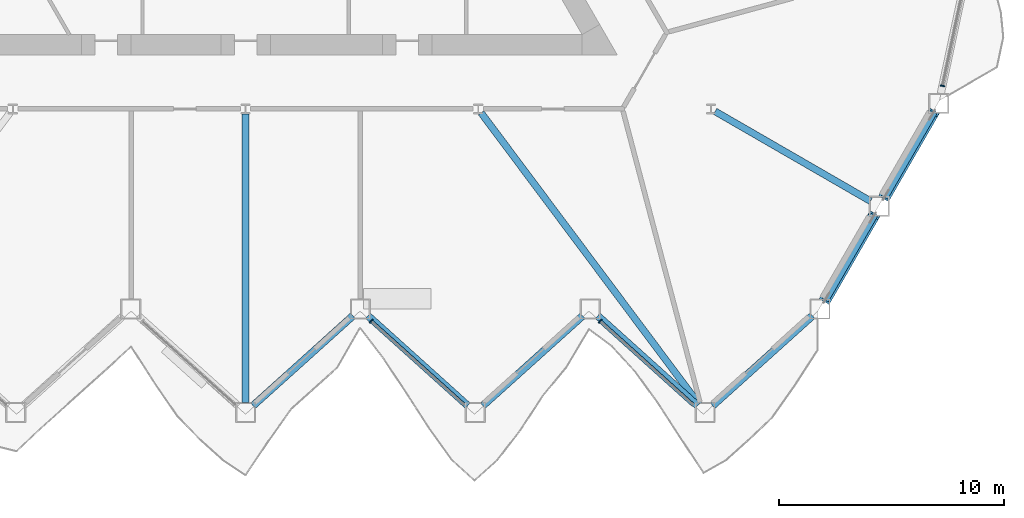
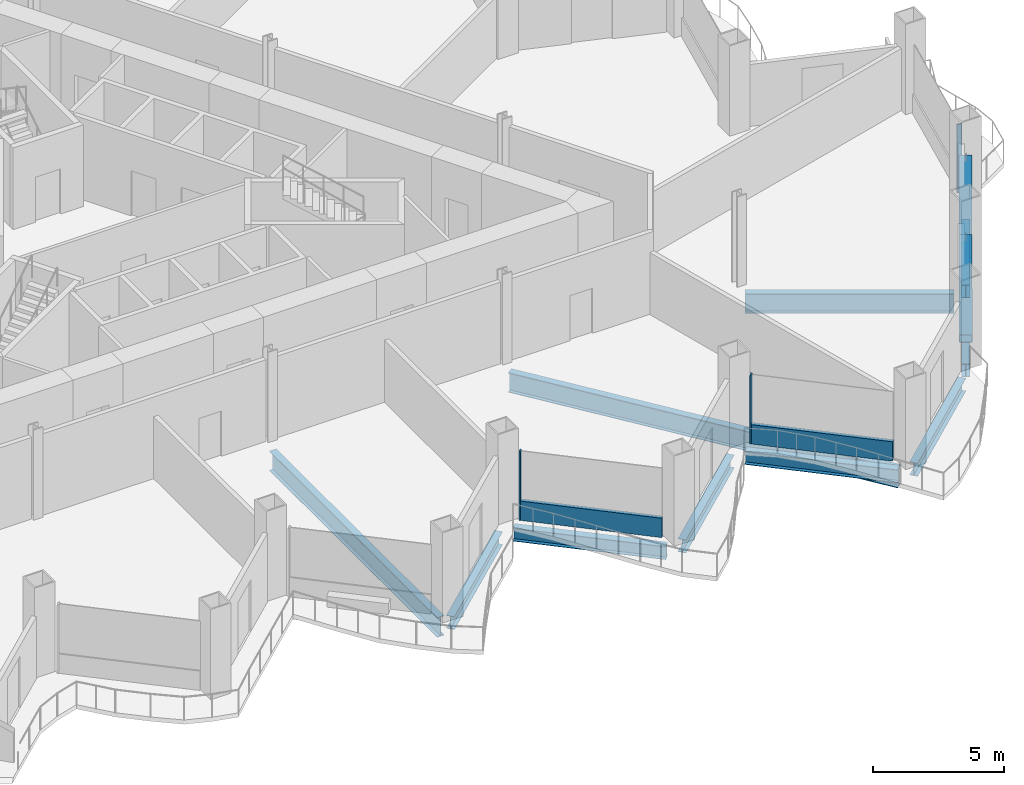
# One storey, part 5 of 21: 10 beams, 7 members, 3 elements without a shape of their own.
"""IFC4 building model written with IfcOpenShell, lengths in metres."""

from ifc_helpers import new_model, si_unit, direction, frame, origin, origin_2d, place, context, subcontext, project, spatial, rectangle, hollow_rectangle, i_section, extrude, material, layer, layer_set, material_profile, profile_set, type_object, element, aggregate, save


model = new_model("IFC4")

# Units and contexts
model_context = context("Model", 3, precision=1e-05, world=origin(), true_north=direction((0.0, 1.0)))
body_context = subcontext(model_context, "Body", "Model", "MODEL_VIEW")
ifc_project = project(units=[si_unit("LENGTHUNIT", "METRE"), si_unit("AREAUNIT", "SQUARE_METRE"), si_unit("VOLUMEUNIT", "CUBIC_METRE"), si_unit("PLANEANGLEUNIT", "RADIAN"), si_unit("MASSUNIT", "GRAM", prefix="KILO")], contexts=[model_context])

# Site, building, storey
site_placement = place(None, origin())
site = spatial("IfcSite", under=ifc_project, at=site_placement, CompositionType="ELEMENT")
building_placement = place(site_placement, origin())
building = spatial("IfcBuilding", under=site, at=building_placement, Name="Cormorant Prow Tower", CompositionType="ELEMENT")
storey_placement = place(building_placement, frame((0.0, 0.0, 150.0)))
storey = spatial("IfcBuildingStorey", under=building, at=storey_placement, Name="L32", CompositionType="ELEMENT", Elevation=150.0)

# Members
ifc_material_1 = material(Name="Structural steel ASTM A500 Gr C", Category="steel")
ifc_material_profile_1 = material_profile(ifc_material_1, hollow_rectangle(XDim=0.508056640625, YDim=0.508056640625, WallThickness=0.014892578125, at=origin_2d()), Name="HSS20x20x5/8")
ifc_profile_set_1 = profile_set([ifc_material_profile_1], Name="Structural steel ASTM A500 Gr C")
member_type_1 = type_object("IfcMemberType", Name="Chamfer brace HSS20x20x5/8", PredefinedType="BRACE", material=ifc_profile_set_1)
for number, where, z_axis, x_axis, name in (
    (1, (25.733642578125, -20.402099609375, 0.776611328125), (0.467784671838, 0.810243526908, 0.35310469821), (-0.866029868417, 0.499992266949, 0.0), "Chamfer brace BR1 at ESE00 L32"),
    (2, (28.368408203125, -15.83837890625, 0.776611328125), (0.467784671838, 0.810243526908, 0.35310469821), (-0.866029868417, 0.499992266949, 0.0), "Chamfer brace BR1 at ESE01 L32"),
):
    element("IfcMember", number, at=place(storey_placement, frame(where, z_axis=z_axis, x_axis=x_axis)), inside=storey, type_object=member_type_1, Name=name, PredefinedType="BRACE", context=body_context, shape_type="SweptSolid", body=[
        extrude(hollow_rectangle(XDim=0.508056640625, YDim=0.508056640625, WallThickness=0.014892578125, at=origin_2d()), origin(), (0.0, 0.0, 1.0), 4.632568359375),
    ])

# Curtain wall, member
ifc_material_2 = material(Name="Aluminium 6063-T6", Category="aluminium")
ifc_layer = layer(ifc_material_2, 0.199951171875)
ifc_layer_set = layer_set([ifc_layer], Name="Aluminium 6063-T6")
curtain_wall_type = type_object("IfcCurtainWallType", Name="Office unitised curtain wall 200", PredefinedType="NOTDEFINED", material=ifc_layer_set)
curtain_wall_1_placement = place(storey_placement, origin())
curtain_wall_1 = element("IfcCurtainWall", 3, at=curtain_wall_1_placement, inside=storey, type_object=curtain_wall_type, Name="Office curtain wall S06", PredefinedType="NOTDEFINED")
ifc_material_3 = material(Name="Aluminium 6063-T6", Category="aluminium")
ifc_material_profile_2 = material_profile(ifc_material_3, rectangle(XDim=0.199951171875, YDim=0.06005859375, at=origin_2d()), Name="Office mullion 60x200")
ifc_profile_set_2 = profile_set([ifc_material_profile_2], Name="Aluminium 6063-T6")
member_type_2 = type_object("IfcMemberType", Name="Office mullion 60x200", PredefinedType="MULLION", material=ifc_profile_set_2)
member_1_placement = place(storey_placement, frame((5.576416015625, -21.347412109375, 0.0), z_axis=(0.0, 0.0, 1.0), x_axis=(0.669130548174, 0.743144877867, 0.0)))
member_1 = element("IfcMember", 4, at=member_1_placement, type_object=member_type_2, Name="Office mullion S06", PredefinedType="MULLION", context=body_context, shape_type="SweptSolid", body=[
    extrude(rectangle(XDim=0.199951171875, YDim=0.06005859375, at=origin_2d()), origin(), (0.0, 0.0, 1.0), 3.18896484375),
])

curtain_wall_2_placement = place(storey_placement, origin())
curtain_wall_2 = element("IfcCurtainWall", 5, at=curtain_wall_2_placement, inside=storey, type_object=curtain_wall_type, Name="Office curtain wall S08", PredefinedType="NOTDEFINED")
member_2_placement = place(storey_placement, frame((15.7392578125, -21.347412109375, 0.0), z_axis=(0.0, 0.0, 1.0), x_axis=(0.669130548174, 0.743144877867, 0.0)))
member_2 = element("IfcMember", 6, at=member_2_placement, type_object=member_type_2, Name="Office mullion S08", PredefinedType="MULLION", context=body_context, shape_type="SweptSolid", body=[
    extrude(rectangle(XDim=0.199951171875, YDim=0.06005859375, at=origin_2d()), origin(), (0.0, 0.0, 1.0), 3.18896484375),
])

curtain_wall_3_placement = place(storey_placement, origin())
curtain_wall_3 = element("IfcCurtainWall", 7, at=curtain_wall_3_placement, inside=storey, type_object=curtain_wall_type, Name="Office curtain wall ENE00", PredefinedType="NOTDEFINED")
member_3_placement = place(storey_placement, frame((30.943359375, -10.90087890625, 0.0), z_axis=(0.0, 0.0, 1.0), x_axis=(-0.978147605999, 0.207911666046, 0.0)))
member_3 = element("IfcMember", 8, at=member_3_placement, type_object=member_type_2, Name="Office mullion ENE00", PredefinedType="MULLION", context=body_context, shape_type="SweptSolid", body=[
    extrude(rectangle(XDim=0.199951171875, YDim=0.06005859375, at=origin_2d()), origin(), (0.0, 0.0, 1.0), 3.18896484375),
])
aggregate(curtain_wall_3, [member_3])

# Member
ifc_material_4 = material(Name="Terracotta", Category="masonry")
ifc_material_profile_3 = material_profile(ifc_material_4, rectangle(XDim=0.159912109375, YDim=0.89990234375, at=origin_2d()), Name="Office terracotta spandrel rail 160x900")
ifc_profile_set_3 = profile_set([ifc_material_profile_3], Name="Terracotta")
member_type_3 = type_object("IfcMemberType", Name="Office terracotta spandrel rail 160x900", PredefinedType="USERDEFINED", material=ifc_profile_set_3)
member_4_placement = place(storey_placement, frame((5.5986328125, -21.367431640625, 0.449951171875), z_axis=(0.743141989368, -0.669133756164, 0.0), x_axis=(0.669133756164, 0.743141989368, 0.0)))
member_4 = element("IfcMember", 9, at=member_4_placement, type_object=member_type_3, Name="Office spandrel rail S06", ObjectType="TRANSOM", PredefinedType="USERDEFINED", context=body_context, shape_type="SweptSolid", body=[
    extrude(rectangle(XDim=0.159912109375, YDim=0.89990234375, at=origin_2d()), origin(), (0.0, 0.0, 1.0), 5.505859375),
])

aggregate(curtain_wall_1, [member_1, member_4])

member_5_placement = place(storey_placement, frame((15.761474609375, -21.367431640625, 0.449951171875), z_axis=(0.743141989368, -0.669133756164, 0.0), x_axis=(0.669133756164, 0.743141989368, 0.0)))
member_5 = element("IfcMember", 10, at=member_5_placement, type_object=member_type_3, Name="Office spandrel rail S08", ObjectType="TRANSOM", PredefinedType="USERDEFINED", context=body_context, shape_type="SweptSolid", body=[
    extrude(rectangle(XDim=0.159912109375, YDim=0.89990234375, at=origin_2d()), origin(), (0.0, 0.0, 1.0), 5.505859375),
])

aggregate(curtain_wall_2, [member_2, member_5])

# Beams
ifc_material_5 = material(Name="Structural steel ASTM A992 Gr 50", Category="steel")
ifc_material_profile_4 = material_profile(ifc_material_5, i_section(OverallWidth=0.3046875, OverallDepth=0.914794921875, WebThickness=0.0166015625, FlangeThickness=0.02587890625, at=origin_2d()), Name="W36x160")
ifc_profile_set_4 = profile_set([ifc_material_profile_4], Name="Structural steel ASTM A992 Gr 50")
beam_type_1 = type_object("IfcBeamType", Name="Radial floor beam W36x160", PredefinedType="BEAM", material=ifc_profile_set_4)
beam_1_placement = place(storey_placement, frame((0.0, -12.143798828125, -0.857421875), z_axis=(0.0, -1.0, 0.0), x_axis=(1.0, 0.0, 0.0)))
element("IfcBeam", 11, at=beam_1_placement, inside=storey, type_object=beam_type_1, Name="Radial floor beam FB1 7 L32", PredefinedType="BEAM", context=body_context, shape_type="SweptSolid", body=[
    extrude(i_section(OverallWidth=0.3046875, OverallDepth=0.914794921875, WebThickness=0.0166015625, FlangeThickness=0.02587890625, at=origin_2d()), origin(), (0.0, 0.0, 1.0), 12.805419921875),
])
beam_2_placement = place(storey_placement, frame((10.458740234375, -12.100341796875, -0.857421875), z_axis=(0.598722444929, -0.800956574315, 0.0), x_axis=(0.800956574315, 0.598722444929, 0.0)))
element("IfcBeam", 12, at=beam_2_placement, inside=storey, type_object=beam_type_1, Name="Radial floor beam FB1 8 L32", PredefinedType="BEAM", context=body_context, shape_type="SweptSolid", body=[
    extrude(i_section(OverallWidth=0.3046875, OverallDepth=0.914794921875, WebThickness=0.0166015625, FlangeThickness=0.02587890625, at=origin_2d()), origin(), (0.0, 0.0, 1.0), 16.15380859375),
])
beam_3_placement = place(storey_placement, frame((20.84521484375, -12.034912109375, -0.857421875), z_axis=(0.866018715534, -0.50001158421, 0.0), x_axis=(0.50001158421, 0.866018715534, 0.0)))
element("IfcBeam", 13, at=beam_3_placement, inside=storey, type_object=beam_type_1, Name="Radial floor beam FB1 9 L32", PredefinedType="BEAM", context=body_context, shape_type="SweptSolid", body=[
    extrude(i_section(OverallWidth=0.3046875, OverallDepth=0.914794921875, WebThickness=0.0166015625, FlangeThickness=0.02587890625, at=origin_2d()), origin(), (0.0, 0.0, 1.0), 7.967041015625),
])
ifc_material_6 = material(Name="Structural steel ASTM A992 Gr 50", Category="steel")
ifc_material_profile_5 = material_profile(ifc_material_6, i_section(OverallWidth=0.32373046875, OverallDepth=0.611083984375, WebThickness=0.0126953125, FlangeThickness=0.01904296875, at=origin_2d()), Name="W24x104")
ifc_profile_set_5 = profile_set([ifc_material_profile_5], Name="Structural steel ASTM A992 Gr 50")
beam_type_2 = type_object("IfcBeamType", Name="Spandrel beam W24x104", PredefinedType="SPANDREL", material=ifc_profile_set_5)
for number, where, z_axis, x_axis, name in (
    (14, (0.33447265625, -25.09814453125, -0.70556640625), (0.743131253571, 0.66914567918, 0.0), (-0.66914567918, 0.743131253571, 0.0), "Spandrel beam SB1 S05-S06 L32"),
    (15, (5.434326171875, -21.108154296875, -0.70556640625), (0.743131253571, -0.66914567918, 0.0), (0.66914567918, 0.743131253571, 0.0), "Spandrel beam SB1 S06-S07 L32"),
    (16, (10.5341796875, -25.09814453125, -0.70556640625), (0.743131253571, 0.66914567918, 0.0), (-0.66914567918, 0.743131253571, 0.0), "Spandrel beam SB1 S07-S08 L32"),
    (17, (15.63427734375, -21.108154296875, -0.70556640625), (0.743131253571, -0.66914567918, 0.0), (0.66914567918, 0.743131253571, 0.0), "Spandrel beam SB1 S08-S09 L32"),
    (18, (20.734130859375, -25.09814453125, -0.70556640625), (0.743131253571, 0.66914567918, 0.0), (-0.66914567918, 0.743131253571, 0.0), "Spandrel beam SB1 S09-ESE00 L32"),
):
    element("IfcBeam", number, at=place(storey_placement, frame(where, z_axis=z_axis, x_axis=x_axis)), inside=storey, type_object=beam_type_2, Name=name, PredefinedType="SPANDREL", context=body_context, shape_type="SweptSolid", body=[
        extrude(i_section(OverallWidth=0.32373046875, OverallDepth=0.611083984375, WebThickness=0.0126953125, FlangeThickness=0.01904296875, at=origin_2d()), origin(), (0.0, 0.0, 1.0), 5.962890625),
    ])
for number, where, z_axis, x_axis, name in (
    (19, (25.724609375, -20.41748046875, -0.70556640625), (0.500002967982, 0.866023690213, 0.0), (-0.866023690213, 0.500002967982, 0.0), "Spandrel beam SB1 ESE00-ESE01 L32"),
    (20, (28.359619140625, -15.853759765625, -0.70556640625), (0.500002967982, 0.866023690213, 0.0), (-0.866023690213, 0.500002967982, 0.0), "Spandrel beam SB1 ESE01-ENE00 L32"),
):
    element("IfcBeam", number, at=place(storey_placement, frame(where, z_axis=z_axis, x_axis=x_axis)), inside=storey, type_object=beam_type_2, Name=name, PredefinedType="SPANDREL", context=body_context, shape_type="SweptSolid", body=[
        extrude(i_section(OverallWidth=0.32373046875, OverallDepth=0.611083984375, WebThickness=0.0126953125, FlangeThickness=0.01904296875, at=origin_2d()), origin(), (0.0, 0.0, 1.0), 4.36962890625),
    ])

save(model, "model.ifc")
